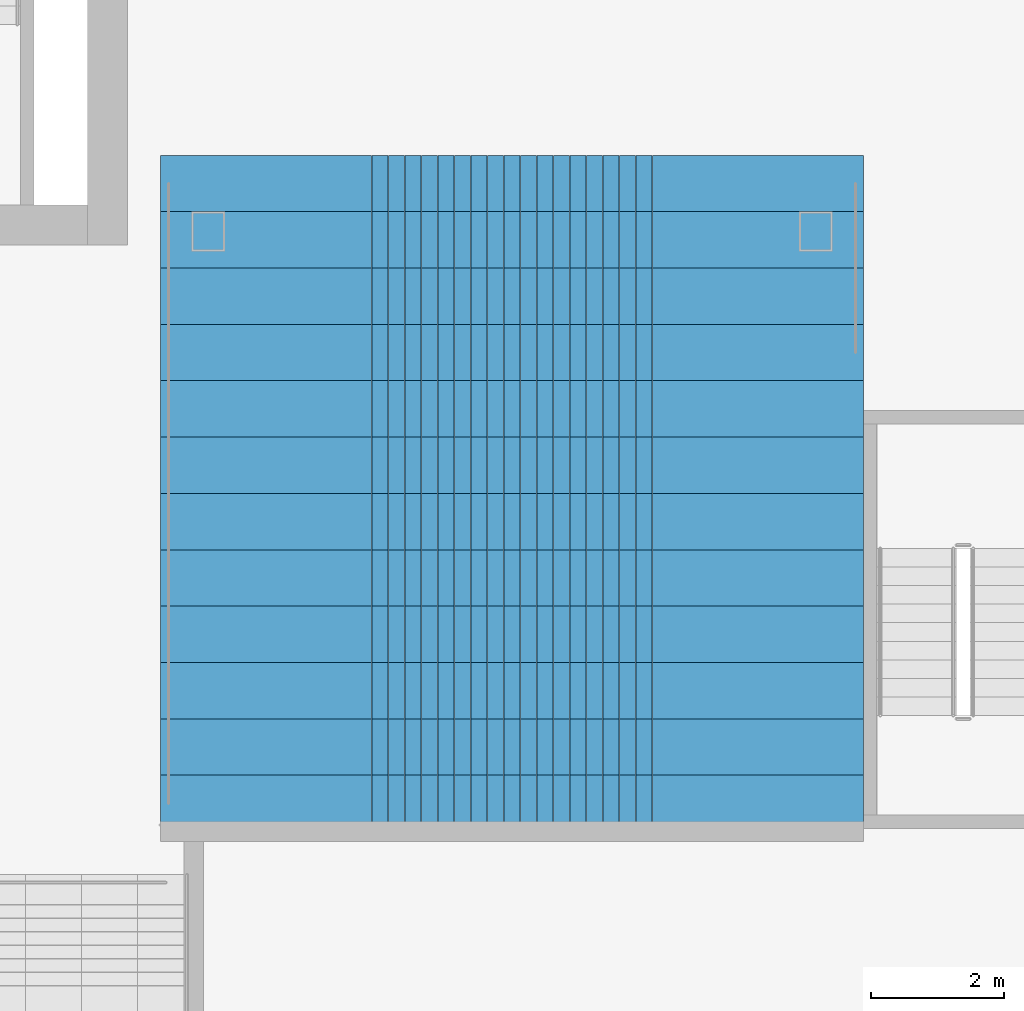
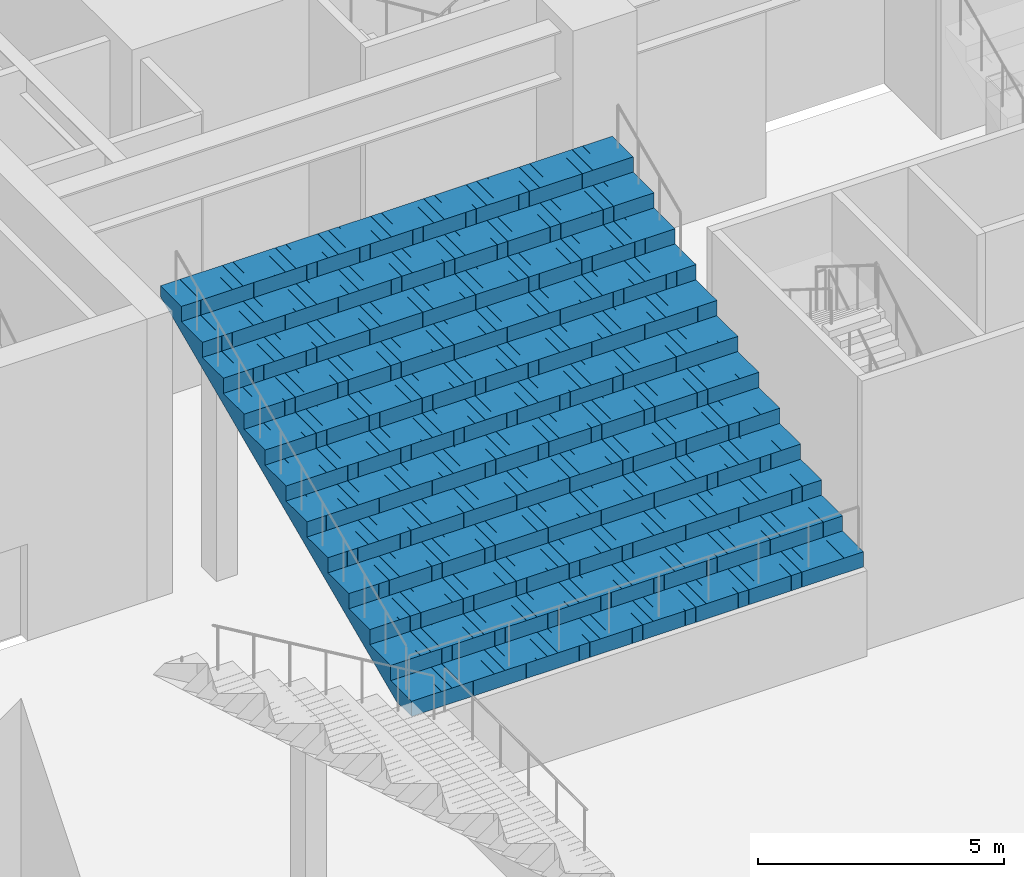
# One storey, part 23 of 62: 1 slab.
"""IFC4 building model written with IfcOpenShell, lengths in metres."""

from ifc_helpers import new_model, si_unit, direction, frame, origin, place, context, subcontext, project, spatial, polyline, outline, extrude, material, layer, layer_set, type_object, element, save


model = new_model("IFC4")

# Units and contexts
model_context = context("Model", 3, precision=1e-05, world=origin(), true_north=direction((0.0, 1.0)))
body_context = subcontext(model_context, "Body", "Model", "MODEL_VIEW")
ifc_project = project(units=[si_unit("LENGTHUNIT", "METRE"), si_unit("AREAUNIT", "SQUARE_METRE"), si_unit("VOLUMEUNIT", "CUBIC_METRE"), si_unit("PLANEANGLEUNIT", "RADIAN"), si_unit("MASSUNIT", "GRAM", prefix="KILO")], contexts=[model_context])

# Site, building, storey
site_placement = place(None, origin())
site = spatial("IfcSite", under=ifc_project, at=site_placement, CompositionType="ELEMENT")
building_placement = place(site_placement, origin())
building = spatial("IfcBuilding", under=site, at=building_placement, Name="Corbelhall Arena Tower", CompositionType="ELEMENT")
storey_placement = place(building_placement, frame((0.0, 0.0, 12.0)))
storey = spatial("IfcBuildingStorey", under=building, at=storey_placement, Name="L01", CompositionType="ELEMENT", Elevation=12.0)

# Slab
ifc_material = material(Name="Precast concrete C40/50", Category="concrete")
ifc_layer = layer(ifc_material, 0.25)
ifc_layer_set = layer_set([ifc_layer], Name="AR-TIER-RAKED")
slab_type = type_object("IfcSlabType", Name="AR-TIER-RAKED", PredefinedType="FLOOR", material=ifc_layer_set)
slab_placement = place(storey_placement, frame((-27.199951171875, 15.14990234375, 2.125), z_axis=(0.0, 0.0, 1.0), x_axis=(0.0, 1.0, 0.0)))
element("IfcSlab", 1, at=slab_placement, inside=storey, type_object=slab_type, Name="Tier section LNA", PredefinedType="FLOOR", context=body_context, shape_type="SweptSolid", body=[
    extrude(outline(polyline([(0.0, 0.0), (0.0, 0.375), (0.85009765625, 0.375), (0.85009765625, 0.75), (1.699951171875, 0.75), (1.699951171875, 1.125), (2.550048828125, 1.125), (2.550048828125, 1.5), (3.39990234375, 1.5), (3.39990234375, 1.875), (4.25, 1.875), (4.25, 2.25), (5.10009765625, 2.25), (5.10009765625, 2.625), (5.949951171875, 2.625), (5.949951171875, 3.0), (6.800048828125, 3.0), (6.800048828125, 3.375), (7.64990234375, 3.375), (7.64990234375, 3.75), (8.5, 3.75), (8.5, 4.125), (9.35009765625, 4.125), (9.35009765625, 4.5), (10.199951171875, 4.5), (10.199951171875, 4.875), (10.199951171875, 4.226806640625), (0.619384765625, 0.0), (0.0, 0.0)])), frame((0.0, 5.300048828125, 0.0), z_axis=(0.0, -1.0, 0.0), x_axis=(1.0, 0.0, 0.0)), (0.0, 0.0, 1.0), 0.449951171875),
    extrude(outline(polyline([(0.0, 0.0), (0.0, 0.375), (0.85009765625, 0.375), (0.85009765625, 0.75), (1.699951171875, 0.75), (1.699951171875, 1.125), (2.550048828125, 1.125), (2.550048828125, 1.5), (3.39990234375, 1.5), (3.39990234375, 1.875), (4.25, 1.875), (4.25, 2.25), (5.10009765625, 2.25), (5.10009765625, 2.625), (5.949951171875, 2.625), (5.949951171875, 3.0), (6.800048828125, 3.0), (6.800048828125, 3.375), (7.64990234375, 3.375), (7.64990234375, 3.75), (8.5, 3.75), (8.5, 4.125), (9.35009765625, 4.125), (9.35009765625, 4.5), (10.199951171875, 4.5), (10.199951171875, 4.875), (10.199951171875, 4.226806640625), (0.619384765625, 0.0), (0.0, 0.0)])), frame((0.0, 4.845947265625, 0.0), z_axis=(0.0, -1.0, 0.0), x_axis=(1.0, 0.0, 0.0)), (0.0, 0.0, 1.0), 0.24462890625),
    extrude(outline(polyline([(0.0, 0.0), (0.0, 0.375), (0.85009765625, 0.375), (0.85009765625, 0.75), (1.699951171875, 0.75), (1.699951171875, 1.125), (2.550048828125, 1.125), (2.550048828125, 1.5), (3.39990234375, 1.5), (3.39990234375, 1.875), (4.25, 1.875), (4.25, 2.25), (5.10009765625, 2.25), (5.10009765625, 2.625), (5.949951171875, 2.625), (5.949951171875, 3.0), (6.800048828125, 3.0), (6.800048828125, 3.375), (7.64990234375, 3.375), (7.64990234375, 3.75), (8.5, 3.75), (8.5, 4.125), (9.35009765625, 4.125), (9.35009765625, 4.5), (10.199951171875, 4.5), (10.199951171875, 4.875), (10.199951171875, 4.226806640625), (0.619384765625, 0.0), (0.0, 0.0)])), frame((0.0, 4.597412109375, 0.0), z_axis=(0.0, -1.0, 0.0), x_axis=(1.0, 0.0, 0.0)), (0.0, 0.0, 1.0), 0.24462890625),
    extrude(outline(polyline([(0.0, 0.0), (0.0, 0.375), (0.85009765625, 0.375), (0.85009765625, 0.75), (1.699951171875, 0.75), (1.699951171875, 1.125), (2.550048828125, 1.125), (2.550048828125, 1.5), (3.39990234375, 1.5), (3.39990234375, 1.875), (4.25, 1.875), (4.25, 2.25), (5.10009765625, 2.25), (5.10009765625, 2.625), (5.949951171875, 2.625), (5.949951171875, 3.0), (6.800048828125, 3.0), (6.800048828125, 3.375), (7.64990234375, 3.375), (7.64990234375, 3.75), (8.5, 3.75), (8.5, 4.125), (9.35009765625, 4.125), (9.35009765625, 4.5), (10.199951171875, 4.5), (10.199951171875, 4.875), (10.199951171875, 4.226806640625), (0.619384765625, 0.0), (0.0, 0.0)])), frame((0.0, 4.348876953125, 0.0), z_axis=(0.0, -1.0, 0.0), x_axis=(1.0, 0.0, 0.0)), (0.0, 0.0, 1.0), 0.24462890625),
    extrude(outline(polyline([(0.0, 0.0), (0.0, 0.375), (0.85009765625, 0.375), (0.85009765625, 0.75), (1.699951171875, 0.75), (1.699951171875, 1.125), (2.550048828125, 1.125), (2.550048828125, 1.5), (3.39990234375, 1.5), (3.39990234375, 1.875), (4.25, 1.875), (4.25, 2.25), (5.10009765625, 2.25), (5.10009765625, 2.625), (5.949951171875, 2.625), (5.949951171875, 3.0), (6.800048828125, 3.0), (6.800048828125, 3.375), (7.64990234375, 3.375), (7.64990234375, 3.75), (8.5, 3.75), (8.5, 4.125), (9.35009765625, 4.125), (9.35009765625, 4.5), (10.199951171875, 4.5), (10.199951171875, 4.875), (10.199951171875, 4.226806640625), (0.619384765625, 0.0), (0.0, 0.0)])), frame((0.0, 4.10009765625, 0.0), z_axis=(0.0, -1.0, 0.0), x_axis=(1.0, 0.0, 0.0)), (0.0, 0.0, 1.0), 0.24462890625),
    extrude(outline(polyline([(0.0, 0.0), (0.0, 0.375), (0.85009765625, 0.375), (0.85009765625, 0.75), (1.699951171875, 0.75), (1.699951171875, 1.125), (2.550048828125, 1.125), (2.550048828125, 1.5), (3.39990234375, 1.5), (3.39990234375, 1.875), (4.25, 1.875), (4.25, 2.25), (5.10009765625, 2.25), (5.10009765625, 2.625), (5.949951171875, 2.625), (5.949951171875, 3.0), (6.800048828125, 3.0), (6.800048828125, 3.375), (7.64990234375, 3.375), (7.64990234375, 3.75), (8.5, 3.75), (8.5, 4.125), (9.35009765625, 4.125), (9.35009765625, 4.5), (10.199951171875, 4.5), (10.199951171875, 4.875), (10.199951171875, 4.226806640625), (0.619384765625, 0.0), (0.0, 0.0)])), frame((0.0, 3.8515625, 0.0), z_axis=(0.0, -1.0, 0.0), x_axis=(1.0, 0.0, 0.0)), (0.0, 0.0, 1.0), 0.24462890625),
    extrude(outline(polyline([(0.0, 0.0), (0.0, 0.375), (0.85009765625, 0.375), (0.85009765625, 0.75), (1.699951171875, 0.75), (1.699951171875, 1.125), (2.550048828125, 1.125), (2.550048828125, 1.5), (3.39990234375, 1.5), (3.39990234375, 1.875), (4.25, 1.875), (4.25, 2.25), (5.10009765625, 2.25), (5.10009765625, 2.625), (5.949951171875, 2.625), (5.949951171875, 3.0), (6.800048828125, 3.0), (6.800048828125, 3.375), (7.64990234375, 3.375), (7.64990234375, 3.75), (8.5, 3.75), (8.5, 4.125), (9.35009765625, 4.125), (9.35009765625, 4.5), (10.199951171875, 4.5), (10.199951171875, 4.875), (10.199951171875, 4.226806640625), (0.619384765625, 0.0), (0.0, 0.0)])), frame((0.0, 3.60302734375, 0.0), z_axis=(0.0, -1.0, 0.0), x_axis=(1.0, 0.0, 0.0)), (0.0, 0.0, 1.0), 0.24462890625),
    extrude(outline(polyline([(0.0, 0.0), (0.0, 0.375), (0.85009765625, 0.375), (0.85009765625, 0.75), (1.699951171875, 0.75), (1.699951171875, 1.125), (2.550048828125, 1.125), (2.550048828125, 1.5), (3.39990234375, 1.5), (3.39990234375, 1.875), (4.25, 1.875), (4.25, 2.25), (5.10009765625, 2.25), (5.10009765625, 2.625), (5.949951171875, 2.625), (5.949951171875, 3.0), (6.800048828125, 3.0), (6.800048828125, 3.375), (7.64990234375, 3.375), (7.64990234375, 3.75), (8.5, 3.75), (8.5, 4.125), (9.35009765625, 4.125), (9.35009765625, 4.5), (10.199951171875, 4.5), (10.199951171875, 4.875), (10.199951171875, 4.226806640625), (0.619384765625, 0.0), (0.0, 0.0)])), frame((0.0, 3.354248046875, 0.0), z_axis=(0.0, -1.0, 0.0), x_axis=(1.0, 0.0, 0.0)), (0.0, 0.0, 1.0), 0.24462890625),
    extrude(outline(polyline([(0.0, 0.0), (0.0, 0.375), (0.85009765625, 0.375), (0.85009765625, 0.75), (1.699951171875, 0.75), (1.699951171875, 1.125), (2.550048828125, 1.125), (2.550048828125, 1.5), (3.39990234375, 1.5), (3.39990234375, 1.875), (4.25, 1.875), (4.25, 2.25), (5.10009765625, 2.25), (5.10009765625, 2.625), (5.949951171875, 2.625), (5.949951171875, 3.0), (6.800048828125, 3.0), (6.800048828125, 3.375), (7.64990234375, 3.375), (7.64990234375, 3.75), (8.5, 3.75), (8.5, 4.125), (9.35009765625, 4.125), (9.35009765625, 4.5), (10.199951171875, 4.5), (10.199951171875, 4.875), (10.199951171875, 4.226806640625), (0.619384765625, 0.0), (0.0, 0.0)])), frame((0.0, 3.105712890625, 0.0), z_axis=(0.0, -1.0, 0.0), x_axis=(1.0, 0.0, 0.0)), (0.0, 0.0, 1.0), 0.24462890625),
    extrude(outline(polyline([(0.0, 0.0), (0.0, 0.375), (0.85009765625, 0.375), (0.85009765625, 0.75), (1.699951171875, 0.75), (1.699951171875, 1.125), (2.550048828125, 1.125), (2.550048828125, 1.5), (3.39990234375, 1.5), (3.39990234375, 1.875), (4.25, 1.875), (4.25, 2.25), (5.10009765625, 2.25), (5.10009765625, 2.625), (5.949951171875, 2.625), (5.949951171875, 3.0), (6.800048828125, 3.0), (6.800048828125, 3.375), (7.64990234375, 3.375), (7.64990234375, 3.75), (8.5, 3.75), (8.5, 4.125), (9.35009765625, 4.125), (9.35009765625, 4.5), (10.199951171875, 4.5), (10.199951171875, 4.875), (10.199951171875, 4.226806640625), (0.619384765625, 0.0), (0.0, 0.0)])), frame((0.0, 2.857177734375, 0.0), z_axis=(0.0, -1.0, 0.0), x_axis=(1.0, 0.0, 0.0)), (0.0, 0.0, 1.0), 0.24462890625),
    extrude(outline(polyline([(0.0, 0.0), (0.0, 0.375), (0.85009765625, 0.375), (0.85009765625, 0.75), (1.699951171875, 0.75), (1.699951171875, 1.125), (2.550048828125, 1.125), (2.550048828125, 1.5), (3.39990234375, 1.5), (3.39990234375, 1.875), (4.25, 1.875), (4.25, 2.25), (5.10009765625, 2.25), (5.10009765625, 2.625), (5.949951171875, 2.625), (5.949951171875, 3.0), (6.800048828125, 3.0), (6.800048828125, 3.375), (7.64990234375, 3.375), (7.64990234375, 3.75), (8.5, 3.75), (8.5, 4.125), (9.35009765625, 4.125), (9.35009765625, 4.5), (10.199951171875, 4.5), (10.199951171875, 4.875), (10.199951171875, 4.226806640625), (0.619384765625, 0.0), (0.0, 0.0)])), frame((0.0, 2.6083984375, 0.0), z_axis=(0.0, -1.0, 0.0), x_axis=(1.0, 0.0, 0.0)), (0.0, 0.0, 1.0), 0.24462890625),
    extrude(outline(polyline([(0.0, 0.0), (0.0, 0.375), (0.85009765625, 0.375), (0.85009765625, 0.75), (1.699951171875, 0.75), (1.699951171875, 1.125), (2.550048828125, 1.125), (2.550048828125, 1.5), (3.39990234375, 1.5), (3.39990234375, 1.875), (4.25, 1.875), (4.25, 2.25), (5.10009765625, 2.25), (5.10009765625, 2.625), (5.949951171875, 2.625), (5.949951171875, 3.0), (6.800048828125, 3.0), (6.800048828125, 3.375), (7.64990234375, 3.375), (7.64990234375, 3.75), (8.5, 3.75), (8.5, 4.125), (9.35009765625, 4.125), (9.35009765625, 4.5), (10.199951171875, 4.5), (10.199951171875, 4.875), (10.199951171875, 4.226806640625), (0.619384765625, 0.0), (0.0, 0.0)])), frame((0.0, 2.35986328125, 0.0), z_axis=(0.0, -1.0, 0.0), x_axis=(1.0, 0.0, 0.0)), (0.0, 0.0, 1.0), 0.24462890625),
    extrude(outline(polyline([(0.0, 0.0), (0.0, 0.375), (0.85009765625, 0.375), (0.85009765625, 0.75), (1.699951171875, 0.75), (1.699951171875, 1.125), (2.550048828125, 1.125), (2.550048828125, 1.5), (3.39990234375, 1.5), (3.39990234375, 1.875), (4.25, 1.875), (4.25, 2.25), (5.10009765625, 2.25), (5.10009765625, 2.625), (5.949951171875, 2.625), (5.949951171875, 3.0), (6.800048828125, 3.0), (6.800048828125, 3.375), (7.64990234375, 3.375), (7.64990234375, 3.75), (8.5, 3.75), (8.5, 4.125), (9.35009765625, 4.125), (9.35009765625, 4.5), (10.199951171875, 4.5), (10.199951171875, 4.875), (10.199951171875, 4.226806640625), (0.619384765625, 0.0), (0.0, 0.0)])), frame((0.0, 2.111328125, 0.0), z_axis=(0.0, -1.0, 0.0), x_axis=(1.0, 0.0, 0.0)), (0.0, 0.0, 1.0), 0.24462890625),
    extrude(outline(polyline([(0.0, 0.0), (0.0, 0.375), (0.85009765625, 0.375), (0.85009765625, 0.75), (1.699951171875, 0.75), (1.699951171875, 1.125), (2.550048828125, 1.125), (2.550048828125, 1.5), (3.39990234375, 1.5), (3.39990234375, 1.875), (4.25, 1.875), (4.25, 2.25), (5.10009765625, 2.25), (5.10009765625, 2.625), (5.949951171875, 2.625), (5.949951171875, 3.0), (6.800048828125, 3.0), (6.800048828125, 3.375), (7.64990234375, 3.375), (7.64990234375, 3.75), (8.5, 3.75), (8.5, 4.125), (9.35009765625, 4.125), (9.35009765625, 4.5), (10.199951171875, 4.5), (10.199951171875, 4.875), (10.199951171875, 4.226806640625), (0.619384765625, 0.0), (0.0, 0.0)])), frame((0.0, 1.862548828125, 0.0), z_axis=(0.0, -1.0, 0.0), x_axis=(1.0, 0.0, 0.0)), (0.0, 0.0, 1.0), 0.24462890625),
    extrude(outline(polyline([(0.0, 0.0), (0.0, 0.375), (0.85009765625, 0.375), (0.85009765625, 0.75), (1.699951171875, 0.75), (1.699951171875, 1.125), (2.550048828125, 1.125), (2.550048828125, 1.5), (3.39990234375, 1.5), (3.39990234375, 1.875), (4.25, 1.875), (4.25, 2.25), (5.10009765625, 2.25), (5.10009765625, 2.625), (5.949951171875, 2.625), (5.949951171875, 3.0), (6.800048828125, 3.0), (6.800048828125, 3.375), (7.64990234375, 3.375), (7.64990234375, 3.75), (8.5, 3.75), (8.5, 4.125), (9.35009765625, 4.125), (9.35009765625, 4.5), (10.199951171875, 4.5), (10.199951171875, 4.875), (10.199951171875, 4.226806640625), (0.619384765625, 0.0), (0.0, 0.0)])), frame((0.0, 1.614013671875, 0.0), z_axis=(0.0, -1.0, 0.0), x_axis=(1.0, 0.0, 0.0)), (0.0, 0.0, 1.0), 0.24462890625),
    extrude(outline(polyline([(0.0, 0.0), (0.0, 0.375), (0.85009765625, 0.375), (0.85009765625, 0.75), (1.699951171875, 0.75), (1.699951171875, 1.125), (2.550048828125, 1.125), (2.550048828125, 1.5), (3.39990234375, 1.5), (3.39990234375, 1.875), (4.25, 1.875), (4.25, 2.25), (5.10009765625, 2.25), (5.10009765625, 2.625), (5.949951171875, 2.625), (5.949951171875, 3.0), (6.800048828125, 3.0), (6.800048828125, 3.375), (7.64990234375, 3.375), (7.64990234375, 3.75), (8.5, 3.75), (8.5, 4.125), (9.35009765625, 4.125), (9.35009765625, 4.5), (10.199951171875, 4.5), (10.199951171875, 4.875), (10.199951171875, 4.226806640625), (0.619384765625, 0.0), (0.0, 0.0)])), frame((0.0, 1.365478515625, 0.0), z_axis=(0.0, -1.0, 0.0), x_axis=(1.0, 0.0, 0.0)), (0.0, 0.0, 1.0), 0.24462890625),
    extrude(outline(polyline([(0.0, 0.0), (0.0, 0.375), (0.85009765625, 0.375), (0.85009765625, 0.75), (1.699951171875, 0.75), (1.699951171875, 1.125), (2.550048828125, 1.125), (2.550048828125, 1.5), (3.39990234375, 1.5), (3.39990234375, 1.875), (4.25, 1.875), (4.25, 2.25), (5.10009765625, 2.25), (5.10009765625, 2.625), (5.949951171875, 2.625), (5.949951171875, 3.0), (6.800048828125, 3.0), (6.800048828125, 3.375), (7.64990234375, 3.375), (7.64990234375, 3.75), (8.5, 3.75), (8.5, 4.125), (9.35009765625, 4.125), (9.35009765625, 4.5), (10.199951171875, 4.5), (10.199951171875, 4.875), (10.199951171875, 4.226806640625), (0.619384765625, 0.0), (0.0, 0.0)])), frame((0.0, 1.11669921875, 0.0), z_axis=(0.0, -1.0, 0.0), x_axis=(1.0, 0.0, 0.0)), (0.0, 0.0, 1.0), 0.24462890625),
    extrude(outline(polyline([(0.0, 0.0), (0.0, 0.375), (0.85009765625, 0.375), (0.85009765625, 0.75), (1.699951171875, 0.75), (1.699951171875, 1.125), (2.550048828125, 1.125), (2.550048828125, 1.5), (3.39990234375, 1.5), (3.39990234375, 1.875), (4.25, 1.875), (4.25, 2.25), (5.10009765625, 2.25), (5.10009765625, 2.625), (5.949951171875, 2.625), (5.949951171875, 3.0), (6.800048828125, 3.0), (6.800048828125, 3.375), (7.64990234375, 3.375), (7.64990234375, 3.75), (8.5, 3.75), (8.5, 4.125), (9.35009765625, 4.125), (9.35009765625, 4.5), (10.199951171875, 4.5), (10.199951171875, 4.875), (10.199951171875, 4.226806640625), (0.619384765625, 0.0), (0.0, 0.0)])), frame((0.0, 0.8681640625, 0.0), z_axis=(0.0, -1.0, 0.0), x_axis=(1.0, 0.0, 0.0)), (0.0, 0.0, 1.0), 0.24462890625),
    extrude(outline(polyline([(0.0, 0.0), (0.0, 0.375), (0.85009765625, 0.375), (0.85009765625, 0.75), (1.699951171875, 0.75), (1.699951171875, 1.125), (2.550048828125, 1.125), (2.550048828125, 1.5), (3.39990234375, 1.5), (3.39990234375, 1.875), (4.25, 1.875), (4.25, 2.25), (5.10009765625, 2.25), (5.10009765625, 2.625), (5.949951171875, 2.625), (5.949951171875, 3.0), (6.800048828125, 3.0), (6.800048828125, 3.375), (7.64990234375, 3.375), (7.64990234375, 3.75), (8.5, 3.75), (8.5, 4.125), (9.35009765625, 4.125), (9.35009765625, 4.5), (10.199951171875, 4.5), (10.199951171875, 4.875), (10.199951171875, 4.226806640625), (0.619384765625, 0.0), (0.0, 0.0)])), frame((0.0, 0.61962890625, 0.0), z_axis=(0.0, -1.0, 0.0), x_axis=(1.0, 0.0, 0.0)), (0.0, 0.0, 1.0), 0.24462890625),
    extrude(outline(polyline([(0.0, 0.0), (0.0, 0.375), (0.85009765625, 0.375), (0.85009765625, 0.75), (1.699951171875, 0.75), (1.699951171875, 1.125), (2.550048828125, 1.125), (2.550048828125, 1.5), (3.39990234375, 1.5), (3.39990234375, 1.875), (4.25, 1.875), (4.25, 2.25), (5.10009765625, 2.25), (5.10009765625, 2.625), (5.949951171875, 2.625), (5.949951171875, 3.0), (6.800048828125, 3.0), (6.800048828125, 3.375), (7.64990234375, 3.375), (7.64990234375, 3.75), (8.5, 3.75), (8.5, 4.125), (9.35009765625, 4.125), (9.35009765625, 4.5), (10.199951171875, 4.5), (10.199951171875, 4.875), (10.199951171875, 4.226806640625), (0.619384765625, 0.0), (0.0, 0.0)])), frame((0.0, 0.370849609375, 0.0), z_axis=(0.0, -1.0, 0.0), x_axis=(1.0, 0.0, 0.0)), (0.0, 0.0, 1.0), 0.24462890625),
    extrude(outline(polyline([(0.0, 0.0), (0.0, 0.375), (0.85009765625, 0.375), (0.85009765625, 0.75), (1.699951171875, 0.75), (1.699951171875, 1.125), (2.550048828125, 1.125), (2.550048828125, 1.5), (3.39990234375, 1.5), (3.39990234375, 1.875), (4.25, 1.875), (4.25, 2.25), (5.10009765625, 2.25), (5.10009765625, 2.625), (5.949951171875, 2.625), (5.949951171875, 3.0), (6.800048828125, 3.0), (6.800048828125, 3.375), (7.64990234375, 3.375), (7.64990234375, 3.75), (8.5, 3.75), (8.5, 4.125), (9.35009765625, 4.125), (9.35009765625, 4.5), (10.199951171875, 4.5), (10.199951171875, 4.875), (10.199951171875, 4.226806640625), (0.619384765625, 0.0), (0.0, 0.0)])), frame((0.0, 0.122314453125, 0.0), z_axis=(0.0, -1.0, 0.0), x_axis=(1.0, 0.0, 0.0)), (0.0, 0.0, 1.0), 0.24462890625),
    extrude(outline(polyline([(0.0, 0.0), (0.0, 0.375), (0.85009765625, 0.375), (0.85009765625, 0.75), (1.699951171875, 0.75), (1.699951171875, 1.125), (2.550048828125, 1.125), (2.550048828125, 1.5), (3.39990234375, 1.5), (3.39990234375, 1.875), (4.25, 1.875), (4.25, 2.25), (5.10009765625, 2.25), (5.10009765625, 2.625), (5.949951171875, 2.625), (5.949951171875, 3.0), (6.800048828125, 3.0), (6.800048828125, 3.375), (7.64990234375, 3.375), (7.64990234375, 3.75), (8.5, 3.75), (8.5, 4.125), (9.35009765625, 4.125), (9.35009765625, 4.5), (10.199951171875, 4.5), (10.199951171875, 4.875), (10.199951171875, 4.226806640625), (0.619384765625, 0.0), (0.0, 0.0)])), frame((0.0, -0.126220703125, 0.0), z_axis=(0.0, -1.0, 0.0), x_axis=(1.0, 0.0, 0.0)), (0.0, 0.0, 1.0), 0.24462890625),
    extrude(outline(polyline([(0.0, 0.0), (0.0, 0.375), (0.85009765625, 0.375), (0.85009765625, 0.75), (1.699951171875, 0.75), (1.699951171875, 1.125), (2.550048828125, 1.125), (2.550048828125, 1.5), (3.39990234375, 1.5), (3.39990234375, 1.875), (4.25, 1.875), (4.25, 2.25), (5.10009765625, 2.25), (5.10009765625, 2.625), (5.949951171875, 2.625), (5.949951171875, 3.0), (6.800048828125, 3.0), (6.800048828125, 3.375), (7.64990234375, 3.375), (7.64990234375, 3.75), (8.5, 3.75), (8.5, 4.125), (9.35009765625, 4.125), (9.35009765625, 4.5), (10.199951171875, 4.5), (10.199951171875, 4.875), (10.199951171875, 4.226806640625), (0.619384765625, 0.0), (0.0, 0.0)])), frame((0.0, -0.375, 0.0), z_axis=(0.0, -1.0, 0.0), x_axis=(1.0, 0.0, 0.0)), (0.0, 0.0, 1.0), 0.24462890625),
    extrude(outline(polyline([(0.0, 0.0), (0.0, 0.375), (0.85009765625, 0.375), (0.85009765625, 0.75), (1.699951171875, 0.75), (1.699951171875, 1.125), (2.550048828125, 1.125), (2.550048828125, 1.5), (3.39990234375, 1.5), (3.39990234375, 1.875), (4.25, 1.875), (4.25, 2.25), (5.10009765625, 2.25), (5.10009765625, 2.625), (5.949951171875, 2.625), (5.949951171875, 3.0), (6.800048828125, 3.0), (6.800048828125, 3.375), (7.64990234375, 3.375), (7.64990234375, 3.75), (8.5, 3.75), (8.5, 4.125), (9.35009765625, 4.125), (9.35009765625, 4.5), (10.199951171875, 4.5), (10.199951171875, 4.875), (10.199951171875, 4.226806640625), (0.619384765625, 0.0), (0.0, 0.0)])), frame((0.0, -0.62353515625, 0.0), z_axis=(0.0, -1.0, 0.0), x_axis=(1.0, 0.0, 0.0)), (0.0, 0.0, 1.0), 0.24462890625),
    extrude(outline(polyline([(0.0, 0.0), (0.0, 0.375), (0.85009765625, 0.375), (0.85009765625, 0.75), (1.699951171875, 0.75), (1.699951171875, 1.125), (2.550048828125, 1.125), (2.550048828125, 1.5), (3.39990234375, 1.5), (3.39990234375, 1.875), (4.25, 1.875), (4.25, 2.25), (5.10009765625, 2.25), (5.10009765625, 2.625), (5.949951171875, 2.625), (5.949951171875, 3.0), (6.800048828125, 3.0), (6.800048828125, 3.375), (7.64990234375, 3.375), (7.64990234375, 3.75), (8.5, 3.75), (8.5, 4.125), (9.35009765625, 4.125), (9.35009765625, 4.5), (10.199951171875, 4.5), (10.199951171875, 4.875), (10.199951171875, 4.226806640625), (0.619384765625, 0.0), (0.0, 0.0)])), frame((0.0, -0.8720703125, 0.0), z_axis=(0.0, -1.0, 0.0), x_axis=(1.0, 0.0, 0.0)), (0.0, 0.0, 1.0), 0.24462890625),
    extrude(outline(polyline([(0.0, 0.0), (0.0, 0.375), (0.85009765625, 0.375), (0.85009765625, 0.75), (1.699951171875, 0.75), (1.699951171875, 1.125), (2.550048828125, 1.125), (2.550048828125, 1.5), (3.39990234375, 1.5), (3.39990234375, 1.875), (4.25, 1.875), (4.25, 2.25), (5.10009765625, 2.25), (5.10009765625, 2.625), (5.949951171875, 2.625), (5.949951171875, 3.0), (6.800048828125, 3.0), (6.800048828125, 3.375), (7.64990234375, 3.375), (7.64990234375, 3.75), (8.5, 3.75), (8.5, 4.125), (9.35009765625, 4.125), (9.35009765625, 4.5), (10.199951171875, 4.5), (10.199951171875, 4.875), (10.199951171875, 4.226806640625), (0.619384765625, 0.0), (0.0, 0.0)])), frame((0.0, -1.120849609375, 0.0), z_axis=(0.0, -1.0, 0.0), x_axis=(1.0, 0.0, 0.0)), (0.0, 0.0, 1.0), 0.24462890625),
    extrude(outline(polyline([(0.0, 0.0), (0.0, 0.375), (0.85009765625, 0.375), (0.85009765625, 0.75), (1.699951171875, 0.75), (1.699951171875, 1.125), (2.550048828125, 1.125), (2.550048828125, 1.5), (3.39990234375, 1.5), (3.39990234375, 1.875), (4.25, 1.875), (4.25, 2.25), (5.10009765625, 2.25), (5.10009765625, 2.625), (5.949951171875, 2.625), (5.949951171875, 3.0), (6.800048828125, 3.0), (6.800048828125, 3.375), (7.64990234375, 3.375), (7.64990234375, 3.75), (8.5, 3.75), (8.5, 4.125), (9.35009765625, 4.125), (9.35009765625, 4.5), (10.199951171875, 4.5), (10.199951171875, 4.875), (10.199951171875, 4.226806640625), (0.619384765625, 0.0), (0.0, 0.0)])), frame((0.0, -1.369384765625, 0.0), z_axis=(0.0, -1.0, 0.0), x_axis=(1.0, 0.0, 0.0)), (0.0, 0.0, 1.0), 0.24462890625),
    extrude(outline(polyline([(0.0, 0.0), (0.0, 0.375), (0.85009765625, 0.375), (0.85009765625, 0.75), (1.699951171875, 0.75), (1.699951171875, 1.125), (2.550048828125, 1.125), (2.550048828125, 1.5), (3.39990234375, 1.5), (3.39990234375, 1.875), (4.25, 1.875), (4.25, 2.25), (5.10009765625, 2.25), (5.10009765625, 2.625), (5.949951171875, 2.625), (5.949951171875, 3.0), (6.800048828125, 3.0), (6.800048828125, 3.375), (7.64990234375, 3.375), (7.64990234375, 3.75), (8.5, 3.75), (8.5, 4.125), (9.35009765625, 4.125), (9.35009765625, 4.5), (10.199951171875, 4.5), (10.199951171875, 4.875), (10.199951171875, 4.226806640625), (0.619384765625, 0.0), (0.0, 0.0)])), frame((0.0, -1.617919921875, 0.0), z_axis=(0.0, -1.0, 0.0), x_axis=(1.0, 0.0, 0.0)), (0.0, 0.0, 1.0), 0.24462890625),
    extrude(outline(polyline([(0.0, 0.0), (0.0, 0.375), (0.85009765625, 0.375), (0.85009765625, 0.75), (1.699951171875, 0.75), (1.699951171875, 1.125), (2.550048828125, 1.125), (2.550048828125, 1.5), (3.39990234375, 1.5), (3.39990234375, 1.875), (4.25, 1.875), (4.25, 2.25), (5.10009765625, 2.25), (5.10009765625, 2.625), (5.949951171875, 2.625), (5.949951171875, 3.0), (6.800048828125, 3.0), (6.800048828125, 3.375), (7.64990234375, 3.375), (7.64990234375, 3.75), (8.5, 3.75), (8.5, 4.125), (9.35009765625, 4.125), (9.35009765625, 4.5), (10.199951171875, 4.5), (10.199951171875, 4.875), (10.199951171875, 4.226806640625), (0.619384765625, 0.0), (0.0, 0.0)])), frame((0.0, -1.86669921875, 0.0), z_axis=(0.0, -1.0, 0.0), x_axis=(1.0, 0.0, 0.0)), (0.0, 0.0, 1.0), 0.24462890625),
    extrude(outline(polyline([(0.0, 0.0), (0.0, 0.375), (0.85009765625, 0.375), (0.85009765625, 0.75), (1.699951171875, 0.75), (1.699951171875, 1.125), (2.550048828125, 1.125), (2.550048828125, 1.5), (3.39990234375, 1.5), (3.39990234375, 1.875), (4.25, 1.875), (4.25, 2.25), (5.10009765625, 2.25), (5.10009765625, 2.625), (5.949951171875, 2.625), (5.949951171875, 3.0), (6.800048828125, 3.0), (6.800048828125, 3.375), (7.64990234375, 3.375), (7.64990234375, 3.75), (8.5, 3.75), (8.5, 4.125), (9.35009765625, 4.125), (9.35009765625, 4.5), (10.199951171875, 4.5), (10.199951171875, 4.875), (10.199951171875, 4.226806640625), (0.619384765625, 0.0), (0.0, 0.0)])), frame((0.0, -2.115234375, 0.0), z_axis=(0.0, -1.0, 0.0), x_axis=(1.0, 0.0, 0.0)), (0.0, 0.0, 1.0), 0.24462890625),
    extrude(outline(polyline([(0.0, 0.0), (0.0, 0.375), (0.85009765625, 0.375), (0.85009765625, 0.75), (1.699951171875, 0.75), (1.699951171875, 1.125), (2.550048828125, 1.125), (2.550048828125, 1.5), (3.39990234375, 1.5), (3.39990234375, 1.875), (4.25, 1.875), (4.25, 2.25), (5.10009765625, 2.25), (5.10009765625, 2.625), (5.949951171875, 2.625), (5.949951171875, 3.0), (6.800048828125, 3.0), (6.800048828125, 3.375), (7.64990234375, 3.375), (7.64990234375, 3.75), (8.5, 3.75), (8.5, 4.125), (9.35009765625, 4.125), (9.35009765625, 4.5), (10.199951171875, 4.5), (10.199951171875, 4.875), (10.199951171875, 4.226806640625), (0.619384765625, 0.0), (0.0, 0.0)])), frame((0.0, -2.36376953125, 0.0), z_axis=(0.0, -1.0, 0.0), x_axis=(1.0, 0.0, 0.0)), (0.0, 0.0, 1.0), 0.24462890625),
    extrude(outline(polyline([(0.0, 0.0), (0.0, 0.375), (0.85009765625, 0.375), (0.85009765625, 0.75), (1.699951171875, 0.75), (1.699951171875, 1.125), (2.550048828125, 1.125), (2.550048828125, 1.5), (3.39990234375, 1.5), (3.39990234375, 1.875), (4.25, 1.875), (4.25, 2.25), (5.10009765625, 2.25), (5.10009765625, 2.625), (5.949951171875, 2.625), (5.949951171875, 3.0), (6.800048828125, 3.0), (6.800048828125, 3.375), (7.64990234375, 3.375), (7.64990234375, 3.75), (8.5, 3.75), (8.5, 4.125), (9.35009765625, 4.125), (9.35009765625, 4.5), (10.199951171875, 4.5), (10.199951171875, 4.875), (10.199951171875, 4.226806640625), (0.619384765625, 0.0), (0.0, 0.0)])), frame((0.0, -2.612548828125, 0.0), z_axis=(0.0, -1.0, 0.0), x_axis=(1.0, 0.0, 0.0)), (0.0, 0.0, 1.0), 0.24462890625),
    extrude(outline(polyline([(0.0, 0.0), (0.0, 0.375), (0.85009765625, 0.375), (0.85009765625, 0.75), (1.699951171875, 0.75), (1.699951171875, 1.125), (2.550048828125, 1.125), (2.550048828125, 1.5), (3.39990234375, 1.5), (3.39990234375, 1.875), (4.25, 1.875), (4.25, 2.25), (5.10009765625, 2.25), (5.10009765625, 2.625), (5.949951171875, 2.625), (5.949951171875, 3.0), (6.800048828125, 3.0), (6.800048828125, 3.375), (7.64990234375, 3.375), (7.64990234375, 3.75), (8.5, 3.75), (8.5, 4.125), (9.35009765625, 4.125), (9.35009765625, 4.5), (10.199951171875, 4.5), (10.199951171875, 4.875), (10.199951171875, 4.226806640625), (0.619384765625, 0.0), (0.0, 0.0)])), frame((0.0, -2.861083984375, 0.0), z_axis=(0.0, -1.0, 0.0), x_axis=(1.0, 0.0, 0.0)), (0.0, 0.0, 1.0), 0.24462890625),
    extrude(outline(polyline([(0.0, 0.0), (0.0, 0.375), (0.85009765625, 0.375), (0.85009765625, 0.75), (1.699951171875, 0.75), (1.699951171875, 1.125), (2.550048828125, 1.125), (2.550048828125, 1.5), (3.39990234375, 1.5), (3.39990234375, 1.875), (4.25, 1.875), (4.25, 2.25), (5.10009765625, 2.25), (5.10009765625, 2.625), (5.949951171875, 2.625), (5.949951171875, 3.0), (6.800048828125, 3.0), (6.800048828125, 3.375), (7.64990234375, 3.375), (7.64990234375, 3.75), (8.5, 3.75), (8.5, 4.125), (9.35009765625, 4.125), (9.35009765625, 4.5), (10.199951171875, 4.5), (10.199951171875, 4.875), (10.199951171875, 4.226806640625), (0.619384765625, 0.0), (0.0, 0.0)])), frame((0.0, -3.109619140625, 0.0), z_axis=(0.0, -1.0, 0.0), x_axis=(1.0, 0.0, 0.0)), (0.0, 0.0, 1.0), 0.24462890625),
    extrude(outline(polyline([(0.0, 0.0), (0.0, 0.375), (0.85009765625, 0.375), (0.85009765625, 0.75), (1.699951171875, 0.75), (1.699951171875, 1.125), (2.550048828125, 1.125), (2.550048828125, 1.5), (3.39990234375, 1.5), (3.39990234375, 1.875), (4.25, 1.875), (4.25, 2.25), (5.10009765625, 2.25), (5.10009765625, 2.625), (5.949951171875, 2.625), (5.949951171875, 3.0), (6.800048828125, 3.0), (6.800048828125, 3.375), (7.64990234375, 3.375), (7.64990234375, 3.75), (8.5, 3.75), (8.5, 4.125), (9.35009765625, 4.125), (9.35009765625, 4.5), (10.199951171875, 4.5), (10.199951171875, 4.875), (10.199951171875, 4.226806640625), (0.619384765625, 0.0), (0.0, 0.0)])), frame((0.0, -3.3583984375, 0.0), z_axis=(0.0, -1.0, 0.0), x_axis=(1.0, 0.0, 0.0)), (0.0, 0.0, 1.0), 0.24462890625),
    extrude(outline(polyline([(0.0, 0.0), (0.0, 0.375), (0.85009765625, 0.375), (0.85009765625, 0.75), (1.699951171875, 0.75), (1.699951171875, 1.125), (2.550048828125, 1.125), (2.550048828125, 1.5), (3.39990234375, 1.5), (3.39990234375, 1.875), (4.25, 1.875), (4.25, 2.25), (5.10009765625, 2.25), (5.10009765625, 2.625), (5.949951171875, 2.625), (5.949951171875, 3.0), (6.800048828125, 3.0), (6.800048828125, 3.375), (7.64990234375, 3.375), (7.64990234375, 3.75), (8.5, 3.75), (8.5, 4.125), (9.35009765625, 4.125), (9.35009765625, 4.5), (10.199951171875, 4.5), (10.199951171875, 4.875), (10.199951171875, 4.226806640625), (0.619384765625, 0.0), (0.0, 0.0)])), frame((0.0, -3.60693359375, 0.0), z_axis=(0.0, -1.0, 0.0), x_axis=(1.0, 0.0, 0.0)), (0.0, 0.0, 1.0), 0.24462890625),
    extrude(outline(polyline([(0.0, 0.0), (0.0, 0.375), (0.85009765625, 0.375), (0.85009765625, 0.75), (1.699951171875, 0.75), (1.699951171875, 1.125), (2.550048828125, 1.125), (2.550048828125, 1.5), (3.39990234375, 1.5), (3.39990234375, 1.875), (4.25, 1.875), (4.25, 2.25), (5.10009765625, 2.25), (5.10009765625, 2.625), (5.949951171875, 2.625), (5.949951171875, 3.0), (6.800048828125, 3.0), (6.800048828125, 3.375), (7.64990234375, 3.375), (7.64990234375, 3.75), (8.5, 3.75), (8.5, 4.125), (9.35009765625, 4.125), (9.35009765625, 4.5), (10.199951171875, 4.5), (10.199951171875, 4.875), (10.199951171875, 4.226806640625), (0.619384765625, 0.0), (0.0, 0.0)])), frame((0.0, -3.85546875, 0.0), z_axis=(0.0, -1.0, 0.0), x_axis=(1.0, 0.0, 0.0)), (0.0, 0.0, 1.0), 0.24462890625),
    extrude(outline(polyline([(0.0, 0.0), (0.0, 0.375), (0.85009765625, 0.375), (0.85009765625, 0.75), (1.699951171875, 0.75), (1.699951171875, 1.125), (2.550048828125, 1.125), (2.550048828125, 1.5), (3.39990234375, 1.5), (3.39990234375, 1.875), (4.25, 1.875), (4.25, 2.25), (5.10009765625, 2.25), (5.10009765625, 2.625), (5.949951171875, 2.625), (5.949951171875, 3.0), (6.800048828125, 3.0), (6.800048828125, 3.375), (7.64990234375, 3.375), (7.64990234375, 3.75), (8.5, 3.75), (8.5, 4.125), (9.35009765625, 4.125), (9.35009765625, 4.5), (10.199951171875, 4.5), (10.199951171875, 4.875), (10.199951171875, 4.226806640625), (0.619384765625, 0.0), (0.0, 0.0)])), frame((0.0, -4.104248046875, 0.0), z_axis=(0.0, -1.0, 0.0), x_axis=(1.0, 0.0, 0.0)), (0.0, 0.0, 1.0), 0.24462890625),
    extrude(outline(polyline([(0.0, 0.0), (0.0, 0.375), (0.85009765625, 0.375), (0.85009765625, 0.75), (1.699951171875, 0.75), (1.699951171875, 1.125), (2.550048828125, 1.125), (2.550048828125, 1.5), (3.39990234375, 1.5), (3.39990234375, 1.875), (4.25, 1.875), (4.25, 2.25), (5.10009765625, 2.25), (5.10009765625, 2.625), (5.949951171875, 2.625), (5.949951171875, 3.0), (6.800048828125, 3.0), (6.800048828125, 3.375), (7.64990234375, 3.375), (7.64990234375, 3.75), (8.5, 3.75), (8.5, 4.125), (9.35009765625, 4.125), (9.35009765625, 4.5), (10.199951171875, 4.5), (10.199951171875, 4.875), (10.199951171875, 4.226806640625), (0.619384765625, 0.0), (0.0, 0.0)])), frame((0.0, -4.352783203125, 0.0), z_axis=(0.0, -1.0, 0.0), x_axis=(1.0, 0.0, 0.0)), (0.0, 0.0, 1.0), 0.24462890625),
    extrude(outline(polyline([(0.0, 0.0), (0.0, 0.375), (0.85009765625, 0.375), (0.85009765625, 0.75), (1.699951171875, 0.75), (1.699951171875, 1.125), (2.550048828125, 1.125), (2.550048828125, 1.5), (3.39990234375, 1.5), (3.39990234375, 1.875), (4.25, 1.875), (4.25, 2.25), (5.10009765625, 2.25), (5.10009765625, 2.625), (5.949951171875, 2.625), (5.949951171875, 3.0), (6.800048828125, 3.0), (6.800048828125, 3.375), (7.64990234375, 3.375), (7.64990234375, 3.75), (8.5, 3.75), (8.5, 4.125), (9.35009765625, 4.125), (9.35009765625, 4.5), (10.199951171875, 4.5), (10.199951171875, 4.875), (10.199951171875, 4.226806640625), (0.619384765625, 0.0), (0.0, 0.0)])), frame((0.0, -4.601318359375, 0.0), z_axis=(0.0, -1.0, 0.0), x_axis=(1.0, 0.0, 0.0)), (0.0, 0.0, 1.0), 0.24462890625),
    extrude(outline(polyline([(0.0, 0.0), (0.0, 0.375), (0.85009765625, 0.375), (0.85009765625, 0.75), (1.699951171875, 0.75), (1.699951171875, 1.125), (2.550048828125, 1.125), (2.550048828125, 1.5), (3.39990234375, 1.5), (3.39990234375, 1.875), (4.25, 1.875), (4.25, 2.25), (5.10009765625, 2.25), (5.10009765625, 2.625), (5.949951171875, 2.625), (5.949951171875, 3.0), (6.800048828125, 3.0), (6.800048828125, 3.375), (7.64990234375, 3.375), (7.64990234375, 3.75), (8.5, 3.75), (8.5, 4.125), (9.35009765625, 4.125), (9.35009765625, 4.5), (10.199951171875, 4.5), (10.199951171875, 4.875), (10.199951171875, 4.226806640625), (0.619384765625, 0.0), (0.0, 0.0)])), frame((0.0, -4.85009765625, 0.0), z_axis=(0.0, -1.0, 0.0), x_axis=(1.0, 0.0, 0.0)), (0.0, 0.0, 1.0), 0.449951171875),
])

save(model, "model.ifc")
